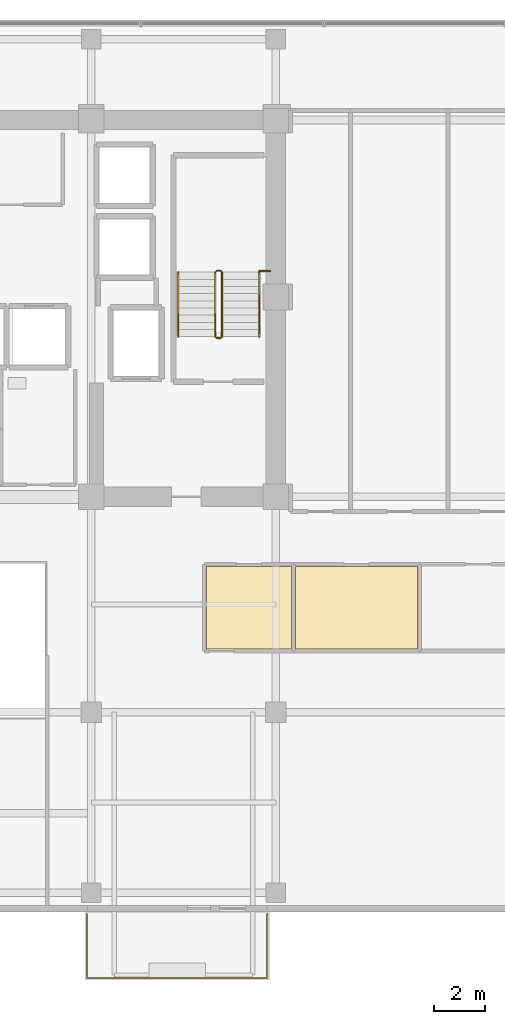
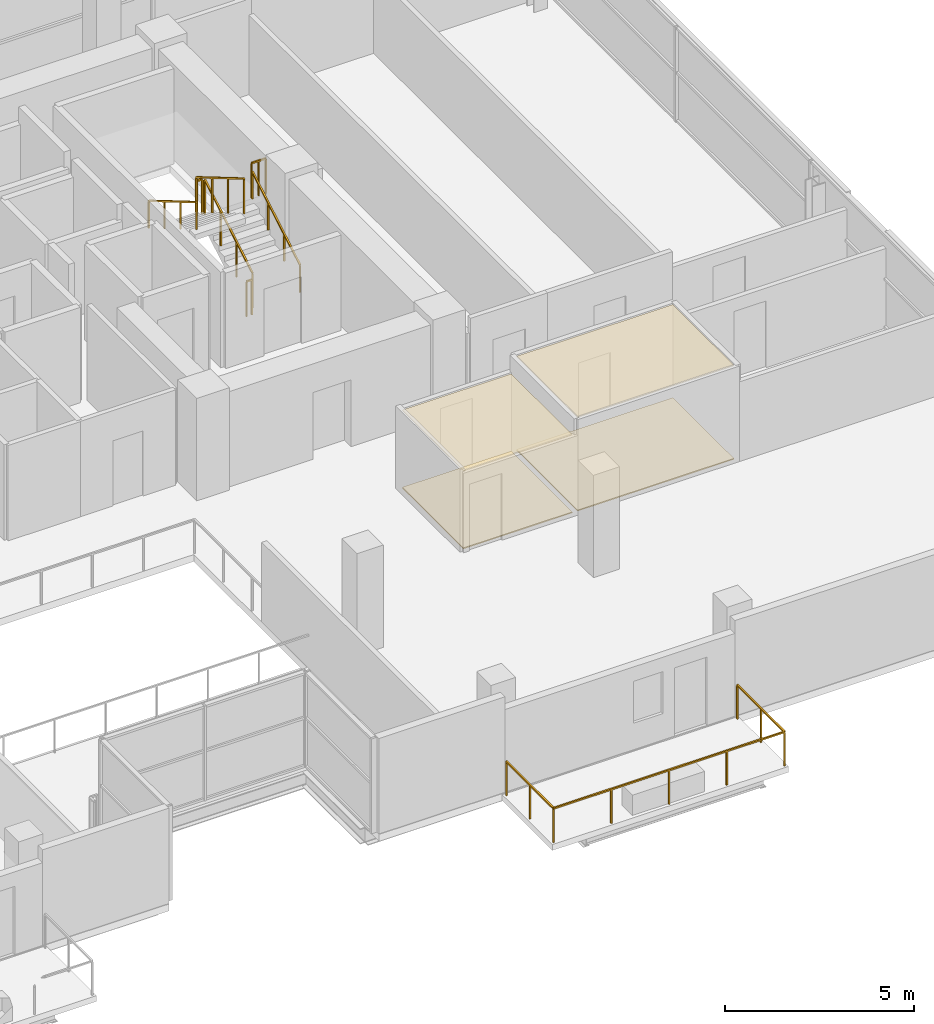
# One storey, part 21 of 22: 8 railings, 4 coverings.
"""IFC4 building model written with IfcOpenShell, lengths in metres."""

import ifcopenshell
import ifcopenshell.guid

model = None  # the IFC model being written
_history = None  # IfcOwnerHistory: only IFC2X3 demands one
_inside = {}  # id of a spatial element -> (the spatial element, [elements in it])
_under = {}  # id of a project, library or spatial element -> (it, [spatial elements below it])
_declared = {}  # id of a project -> (the project, [libraries it declares])
_typed = {}  # id of a type object -> (the type object, [elements of that type])
_made_of = {}  # id of a material, layer set ... -> (it, [elements and type objects made of it])


def new_model(schema):
    """Start an empty IFC model of exactly this schema.

    Asked for "IFC4X3", IfcOpenShell would pick the latest addendum, in which some entities
    have other attributes; the version numbers below select the first issue.
    IFC2X3 requires an IfcOwnerHistory on every rooted entity: one is made here for all.
    """
    global model, _history
    if schema == "IFC4X3":
        model = ifcopenshell.file(schema_version=(4, 3, 0, 0))
    else:
        model = ifcopenshell.file(schema=schema)
    _inside.clear()
    _under.clear()
    _declared.clear()
    _typed.clear()
    _made_of.clear()
    _history = None
    if model.schema == "IFC2X3":
        org = make("IfcOrganization", Name="unknown")
        user = make(
            "IfcPersonAndOrganization",
            ThePerson=make("IfcPerson", FamilyName="unknown"),
            TheOrganization=org,
        )
        app = make(
            "IfcApplication",
            ApplicationDeveloper=org,
            Version="unknown",
            ApplicationFullName="unknown",
            ApplicationIdentifier="unknown",
        )
        _history = make(
            "IfcOwnerHistory",
            OwningUser=user,
            OwningApplication=app,
            ChangeAction="ADDED",
            CreationDate=0,
        )
    return model


def make(cls, **values):
    """One entity of the class cls with the attributes given. An attribute that is None is left unset."""
    return model.create_entity(
        cls, **{name: value for name, value in values.items() if value is not None}
    )


def rooted(cls, **values):
    """An entity with a GlobalId (a new one), such as an element, a storey or a relation."""
    return make(cls, GlobalId=ifcopenshell.guid.new(), OwnerHistory=_history, **values)


def si_unit(unit_type, name, prefix=None):
    """IfcSIUnit, for example si_unit("LENGTHUNIT", "METRE", prefix="MILLI")."""
    return make("IfcSIUnit", UnitType=unit_type, Prefix=prefix, Name=name)


def assignment(units):
    """IfcUnitAssignment: the units of a project."""
    return None if units is None else make("IfcUnitAssignment", Units=units)


def point(xyz):
    """IfcCartesianPoint."""
    return None if xyz is None else make("IfcCartesianPoint", Coordinates=xyz)


def direction(xyz):
    """IfcDirection."""
    return None if xyz is None else make("IfcDirection", DirectionRatios=xyz)


def frame(location, z_axis=None, x_axis=None):
    """IfcAxis2Placement3D, a coordinate frame: its origin and axes. An axis left out is left unset."""
    return make(
        "IfcAxis2Placement3D",
        Location=point(location),
        Axis=direction(z_axis),
        RefDirection=direction(x_axis),
    )


def frame_2d(location, x_axis=None):
    """IfcAxis2Placement2D, a coordinate frame in the plane: its origin and x axis."""
    return make(
        "IfcAxis2Placement2D", Location=point(location), RefDirection=direction(x_axis)
    )


def origin():
    """The frame at (0, 0, 0) with its axes left unset."""
    return frame((0.0, 0.0, 0.0))


def origin_2d():
    """The frame at (0, 0) in the plane with its x axis left unset."""
    return frame_2d((0.0, 0.0))


def place(relative_to, where):
    """IfcLocalPlacement: puts the frame where relative to a parent placement (None: the world)."""
    return make(
        "IfcLocalPlacement", PlacementRelTo=relative_to, RelativePlacement=where
    )


def context(
    kind, dimensions, precision=None, world=None, true_north=None, identifier=None
):
    """IfcGeometricRepresentationContext, for example the 3D "Model" context."""
    return make(
        "IfcGeometricRepresentationContext",
        ContextIdentifier=identifier,
        ContextType=kind,
        CoordinateSpaceDimension=dimensions,
        Precision=precision,
        WorldCoordinateSystem=world,
        TrueNorth=true_north,
    )


def subcontext(parent, identifier, kind, view, scale=None):
    """IfcGeometricRepresentationSubContext, for example "Body" below "Model"."""
    return make(
        "IfcGeometricRepresentationSubContext",
        ContextIdentifier=identifier,
        ContextType=kind,
        ParentContext=parent,
        TargetScale=scale,
        TargetView=view,
    )


def project(units=None, contexts=None):
    """IfcProject with its units and contexts."""
    return rooted(
        "IfcProject",
        Name="project",
        RepresentationContexts=contexts,
        UnitsInContext=assignment(units),
    )


def spatial(cls, under=None, at=None, **own):
    """A site, building, storey or space (cls), placed at a placement, below another one or the project."""
    s = rooted(cls, ObjectPlacement=at, **own)
    if under is not None:
        _under.setdefault(under.id(), (under, []))[1].append(s)
    return s


def polyline(points):
    """IfcPolyline through the points."""
    return make("IfcPolyline", Points=[point(p) for p in points])


def profile(cls, at=None, kind="AREA", **sizes):
    """A parametric profile (cls). Its sizes go by their IFC names, for example OverallWidth=200.0."""
    return make(cls, ProfileType=kind, Position=at, **sizes)


def rectangle(**sizes):
    """IfcRectangleProfileDef."""
    return profile("IfcRectangleProfileDef", **sizes)


def outline(outer, holes=None, kind="AREA"):
    """IfcArbitraryClosedProfileDef: a profile drawn as a closed curve; with holes, ...WithVoids."""
    if holes is None:
        return make("IfcArbitraryClosedProfileDef", ProfileType=kind, OuterCurve=outer)
    return make(
        "IfcArbitraryProfileDefWithVoids",
        ProfileType=kind,
        OuterCurve=outer,
        InnerCurves=holes,
    )


def extrude(swept, where, along, depth):
    """IfcExtrudedAreaSolid: the profile swept, set in the frame where, extruded along a direction by depth."""
    return make(
        "IfcExtrudedAreaSolid",
        SweptArea=swept,
        Position=where,
        ExtrudedDirection=direction(along),
        Depth=depth,
    )


def shape(context_of_items, identifier, shape_type, items):
    """IfcShapeRepresentation: the items that make up one representation, for example the "Body"."""
    return make(
        "IfcShapeRepresentation",
        ContextOfItems=context_of_items,
        RepresentationIdentifier=identifier,
        RepresentationType=shape_type,
        Items=items,
    )


def material(Name=None, Category=None):
    """IfcMaterial."""
    return make("IfcMaterial", Name=Name, Category=Category)


def layer(
    of_material, thickness, ventilated=None, Name=None, Category=None, Priority=None
):
    """IfcMaterialLayer: one layer of a wall or slab, of a material (None: an air gap)."""
    return make(
        "IfcMaterialLayer",
        Material=of_material,
        LayerThickness=thickness,
        IsVentilated=ventilated,
        Name=Name,
        Category=Category,
        Priority=Priority,
    )


def layer_set(layers, Name=None):
    """IfcMaterialLayerSet."""
    return make("IfcMaterialLayerSet", MaterialLayers=layers, LayerSetName=Name)


def made_of(thing, what):
    """Note that an element or type object is made of a material, layer set ...; save() writes the relation."""
    if what is not None:
        _made_of.setdefault(what.id(), (what, []))[1].append(thing)
    return thing


def type_object(cls, material=None, **own):
    """A type object (cls), such as IfcWallType, which elements share."""
    return made_of(rooted(cls, **own), material)


def element(
    cls,
    number,
    at=None,
    inside=None,
    cuts=None,
    type_object=None,
    material=None,
    context=None,
    identifier="Body",
    shape_type=None,
    held_by="IfcProductDefinitionShape",
    body=None,
    shapes=None,
    **own,
):
    """One element of the class cls, such as IfcWall. Its Tag is "e" and its number.

    at: its placement. inside: the storey or other place that contains it. cuts: it is an
    opening in that element (IfcRelVoidsElement). A single representation is given by context,
    identifier, shape_type and body (its items); several are given by shapes. held_by: the class
    of the entity that holds the representations. save() writes the other relations.
    """
    e = rooted(cls, Tag="e%d" % number, ObjectPlacement=at, **own)
    if body is not None:
        shapes = [shape(context, identifier, shape_type, body)]
    if shapes is not None:
        e.Representation = make(held_by, Representations=shapes)
    if inside is not None:
        _inside.setdefault(inside.id(), (inside, []))[1].append(e)
    if cuts is not None:
        rooted(
            "IfcRelVoidsElement", RelatingBuildingElement=cuts, RelatedOpeningElement=e
        )
    if type_object is not None:
        _typed.setdefault(type_object.id(), (type_object, []))[1].append(e)
    return made_of(e, material)


def aggregate(whole, parts):
    """IfcRelAggregates: a whole, such as a stair, and the parts it consists of."""
    return rooted("IfcRelAggregates", RelatingObject=whole, RelatedObjects=parts)


def save(model, path):
    """Write the relations noted so far, then the file.

    IfcRelAggregates (storeys below a building ...), IfcRelContainedInSpatialStructure (elements
    in a storey), IfcRelDefinesByType, IfcRelAssociatesMaterial and IfcRelDeclares: one each for
    every whole, place, type object, material and project.
    """
    for whole, parts in _under.values():
        aggregate(whole, parts)
    for where, things in _inside.values():
        rooted(
            "IfcRelContainedInSpatialStructure",
            RelatedElements=things,
            RelatingStructure=where,
        )
    for kind, things in _typed.values():
        rooted("IfcRelDefinesByType", RelatedObjects=things, RelatingType=kind)
    for what, things in _made_of.values():
        rooted("IfcRelAssociatesMaterial", RelatedObjects=things, RelatingMaterial=what)
    for by, libraries in _declared.values():
        rooted("IfcRelDeclares", RelatingContext=by, RelatedDefinitions=libraries)
    model.write(path)


model = new_model("IFC4")

# Units and contexts
model_context = context("Model", 3, precision=1e-05, world=origin(), true_north=direction((0.0, 1.0)))
body_context = subcontext(model_context, "Body", "Model", "MODEL_VIEW")
ifc_project = project(units=[si_unit("LENGTHUNIT", "METRE"), si_unit("AREAUNIT", "SQUARE_METRE"), si_unit("VOLUMEUNIT", "CUBIC_METRE"), si_unit("PLANEANGLEUNIT", "RADIAN"), si_unit("MASSUNIT", "GRAM", prefix="KILO")], contexts=[model_context])

# Site, building, storey
site_placement = place(None, origin())
site = spatial("IfcSite", under=ifc_project, at=site_placement, CompositionType="ELEMENT")
building_placement = place(site_placement, origin())
building = spatial("IfcBuilding", under=site, at=building_placement, Name="Zarnakvel Exchange Tower", CompositionType="ELEMENT")
storey_placement = place(building_placement, frame((0.0, 0.0, 192.39990234375)))
storey = spatial("IfcBuildingStorey", under=building, at=storey_placement, Name="L54", CompositionType="ELEMENT", Elevation=192.39990234375)

# Coverings
ifc_material_1 = material(Name="Perforated Bronze Acoustic Metal Ceiling", Category="aluminium")
ifc_layer_1 = layer(ifc_material_1, 0.02001953125)
ifc_layer_set_1 = layer_set([ifc_layer_1], Name="Perforated Bronze Acoustic Metal Ceiling")
covering_type_1 = type_object("IfcCoveringType", Name="CLG-01", PredefinedType="CEILING", material=ifc_layer_set_1)
covering_1_placement = place(storey_placement, frame((0.0, 0.0, 2.505126953125)))
element("IfcCovering", 1, at=covering_1_placement, inside=storey, type_object=covering_type_1, Name="L54 Suspended Acoustic Ceiling (Conference Room)", PredefinedType="CEILING", context=body_context, shape_type="SweptSolid", body=[
    extrude(outline(polyline([(11.69140625, -3.909912109375), (15.01220703125, -3.909912109375), (15.01220703125, -7.139892578125), (11.69140625, -7.139892578125), (11.69140625, -3.909912109375)])), origin(), (0.0, 0.0, 1.0), 0.02001953125),
])
covering_2_placement = place(storey_placement, frame((0.0, 0.0, 3.01513671875)))
element("IfcCovering", 2, at=covering_2_placement, inside=storey, type_object=covering_type_1, Name="L54 Suspended Acoustic Ceiling (Executive Pantry)", PredefinedType="CEILING", context=body_context, shape_type="SweptSolid", body=[
    extrude(outline(polyline([(15.17236328125, -3.909912109375), (19.93701171875, -3.909912109375), (19.93701171875, -7.139892578125), (15.17236328125, -7.139892578125), (15.17236328125, -3.909912109375)])), origin(), (0.0, 0.0, 1.0), 0.02001953125),
])
ifc_material_2 = material(Name="Heavy-Duty Raised Access Floor Panel", Category="steel")
ifc_layer_2 = layer(ifc_material_2, 0.034912109375)
ifc_layer_set_2 = layer_set([ifc_layer_2], Name="Heavy-Duty Raised Access Floor Panel")
covering_type_2 = type_object("IfcCoveringType", Name="FLR-02", PredefinedType="FLOORING", material=ifc_layer_set_2)
covering_3_placement = place(storey_placement, origin())
element("IfcCovering", 3, at=covering_3_placement, inside=storey, type_object=covering_type_2, Name="L54 Floor Finish (Conference Room)", PredefinedType="FLOORING", context=body_context, shape_type="SweptSolid", body=[
    extrude(outline(polyline([(11.69140625, -3.909912109375), (15.01220703125, -3.909912109375), (15.01220703125, -7.139892578125), (11.69140625, -7.139892578125), (11.69140625, -3.909912109375)])), origin(), (0.0, 0.0, 1.0), 0.03515625),
])
covering_4_placement = place(storey_placement, origin())
element("IfcCovering", 4, at=covering_4_placement, inside=storey, type_object=covering_type_2, Name="L54 Floor Finish (Executive Pantry)", PredefinedType="FLOORING", context=body_context, shape_type="SweptSolid", body=[
    extrude(outline(polyline([(15.17236328125, -3.909912109375), (19.93701171875, -3.909912109375), (19.93701171875, -7.139892578125), (15.17236328125, -7.139892578125), (15.17236328125, -3.909912109375)])), origin(), (0.0, 0.0, 1.0), 0.03515625),
])

# Railings
ifc_material_3 = material(Name="Architectural Bronze Anodised Aluminium", Category="aluminium")
railing_type_1 = type_object("IfcRailingType", Name="GR-02", PredefinedType="GUARDRAIL", material=ifc_material_3)
railing_1_placement = place(storey_placement, frame((7.030029296875, -17.47998046875, -0.034912109375)))
element("IfcRailing", 5, at=railing_1_placement, inside=storey, type_object=railing_type_1, Name="L54 Balcony Guardrail BAL-L54-SE", PredefinedType="GUARDRAIL", context=body_context, shape_type="SweptSolid", body=[
    extrude(rectangle(XDim=0.048095703125, YDim=0.048095703125, at=origin_2d()), frame((0.0, 0.0, 1.09619140625), z_axis=(0.0, -1.0, 0.0), x_axis=(1.0, 0.0, 0.0)), (0.0, 0.0, 1.0), 2.489990234375),
    extrude(rectangle(XDim=0.048095703125, YDim=0.048095703125, at=origin_2d()), frame((0.0, -2.489990234375, 1.09619140625), z_axis=(1.0, 0.0, 0.0), x_axis=(0.0, 1.0, 0.0)), (0.0, 0.0, 1.0), 7.0400390625),
    extrude(rectangle(XDim=0.048095703125, YDim=0.048095703125, at=origin_2d()), frame((7.0400390625, -2.489990234375, 1.09619140625), z_axis=(0.0, 1.0, 0.0), x_axis=(-1.0, 0.0, 0.0)), (0.0, 0.0, 1.0), 2.489990234375),
    extrude(rectangle(XDim=0.0419921875, YDim=0.0419921875, at=origin_2d()), origin(), (0.0, 0.0, 1.0), 1.072021484375),
    extrude(rectangle(XDim=0.0419921875, YDim=0.0419921875, at=origin_2d()), frame((0.0, -1.2451171875, 0.0)), (0.0, 0.0, 1.0), 1.072021484375),
    extrude(rectangle(XDim=0.0419921875, YDim=0.0419921875, at=origin_2d()), frame((0.0, -2.489990234375, 0.0)), (0.0, 0.0, 1.0), 1.072021484375),
    extrude(rectangle(XDim=0.0419921875, YDim=0.0419921875, at=origin_2d()), frame((1.760009765625, -2.489990234375, 0.0)), (0.0, 0.0, 1.0), 1.072021484375),
    extrude(rectangle(XDim=0.0419921875, YDim=0.0419921875, at=origin_2d()), frame((3.52001953125, -2.489990234375, 0.0)), (0.0, 0.0, 1.0), 1.072021484375),
    extrude(rectangle(XDim=0.0419921875, YDim=0.0419921875, at=origin_2d()), frame((5.280029296875, -2.489990234375, 0.0)), (0.0, 0.0, 1.0), 1.072021484375),
    extrude(rectangle(XDim=0.0419921875, YDim=0.0419921875, at=origin_2d()), frame((7.0400390625, -2.489990234375, 0.0)), (0.0, 0.0, 1.0), 1.072021484375),
    extrude(rectangle(XDim=0.0419921875, YDim=0.0419921875, at=origin_2d()), frame((7.0400390625, -1.2451171875, 0.0)), (0.0, 0.0, 1.0), 1.072021484375),
    extrude(rectangle(XDim=0.0419921875, YDim=0.0419921875, at=origin_2d()), frame((7.0400390625, 0.0, 0.0)), (0.0, 0.0, 1.0), 1.072021484375),
])
ifc_material_4 = material(Name="Brushed Stainless Steel", Category="steel")
railing_type_2 = type_object("IfcRailingType", Name="HR-01", PredefinedType="HANDRAIL", material=ifc_material_4)
railing_2_placement = place(storey_placement, frame((13.75, 5.050048828125, 0.1650390625)))
element("IfcRailing", 6, at=railing_2_placement, inside=storey, type_object=railing_type_2, Name="L54 ST-02 stair handrail 1", PredefinedType="HANDRAIL", context=body_context, shape_type="SweptSolid", body=[
    extrude(rectangle(XDim=0.048095703125, YDim=0.048095703125, at=origin_2d()), frame((0.0, 0.0, 0.8759765625), z_axis=(0.0, 0.86152411907, 0.507716645641), x_axis=(-1.0, 0.0, 0.0)), (0.0, 0.0, 1.0), 2.925048828125),
    extrude(rectangle(XDim=0.0419921875, YDim=0.0419921875, at=origin_2d()), origin(), (0.0, 0.0, 1.0), 0.851806640625),
    extrude(rectangle(XDim=0.0419921875, YDim=0.0419921875, at=origin_2d()), frame((0.0, 0.840087890625, 0.4951171875)), (0.0, 0.0, 1.0), 0.851806640625),
    extrude(rectangle(XDim=0.0419921875, YDim=0.0419921875, at=origin_2d()), frame((0.0, 1.679931640625, 0.989990234375)), (0.0, 0.0, 1.0), 0.851806640625),
    extrude(rectangle(XDim=0.0419921875, YDim=0.0419921875, at=origin_2d()), frame((0.0, 2.52001953125, 1.485107421875)), (0.0, 0.0, 1.0), 0.851806640625),
])
railing_3_placement = place(storey_placement, frame((10.590087890625, 7.570068359375, 1.815185546875)))
element("IfcRailing", 7, at=railing_3_placement, inside=storey, type_object=railing_type_2, Name="L54 ST-02 stair handrail 2", PredefinedType="HANDRAIL", context=body_context, shape_type="SweptSolid", body=[
    extrude(rectangle(XDim=0.048095703125, YDim=0.048095703125, at=origin_2d()), frame((0.0, 0.0, 0.8759765625), z_axis=(0.0, -0.861560626758, 0.507654692109), x_axis=(1.0, 0.0, 0.0)), (0.0, 0.0, 1.0), 2.925048828125),
    extrude(rectangle(XDim=0.0419921875, YDim=0.0419921875, at=origin_2d()), origin(), (0.0, 0.0, 1.0), 0.851806640625),
    extrude(rectangle(XDim=0.0419921875, YDim=0.0419921875, at=origin_2d()), frame((0.0, -0.840087890625, 0.494873046875)), (0.0, 0.0, 1.0), 0.851806640625),
    extrude(rectangle(XDim=0.0419921875, YDim=0.0419921875, at=origin_2d()), frame((0.0, -1.679931640625, 0.989990234375)), (0.0, 0.0, 1.0), 0.851806640625),
    extrude(rectangle(XDim=0.0419921875, YDim=0.0419921875, at=origin_2d()), frame((0.0, -2.52001953125, 1.48486328125)), (0.0, 0.0, 1.0), 0.851806640625),
])
railing_type_3 = type_object("IfcRailingType", Name="SG-01", PredefinedType="GUARDRAIL", material=ifc_material_3)
railing_4_placement = place(storey_placement, frame((12.300048828125, 5.050048828125, 0.1650390625)))
element("IfcRailing", 8, at=railing_4_placement, inside=storey, type_object=railing_type_3, Name="L54 ST-02 stair guard 1", PredefinedType="GUARDRAIL", context=body_context, shape_type="SweptSolid", body=[
    extrude(rectangle(XDim=0.048095703125, YDim=0.048095703125, at=origin_2d()), frame((0.0, 0.0, 1.1259765625), z_axis=(0.0, 0.86152411907, 0.507716645641), x_axis=(-1.0, 0.0, 0.0)), (0.0, 0.0, 1.0), 2.925048828125),
    extrude(rectangle(XDim=0.0419921875, YDim=0.0419921875, at=origin_2d()), origin(), (0.0, 0.0, 1.0), 1.101806640625),
    extrude(rectangle(XDim=0.0419921875, YDim=0.0419921875, at=origin_2d()), frame((0.0, 0.840087890625, 0.4951171875)), (0.0, 0.0, 1.0), 1.101806640625),
    extrude(rectangle(XDim=0.0419921875, YDim=0.0419921875, at=origin_2d()), frame((0.0, 1.679931640625, 0.989990234375)), (0.0, 0.0, 1.0), 1.101806640625),
    extrude(rectangle(XDim=0.0419921875, YDim=0.0419921875, at=origin_2d()), frame((0.0, 2.52001953125, 1.485107421875)), (0.0, 0.0, 1.0), 1.101806640625),
])
railing_5_placement = place(storey_placement, frame((12.25, 7.6201171875, 1.650146484375)))
element("IfcRailing", 9, at=railing_5_placement, inside=storey, type_object=railing_type_3, Name="L54 ST-02 stair guard 2", PredefinedType="GUARDRAIL", context=body_context, shape_type="SweptSolid", body=[
    extrude(rectangle(XDim=0.048095703125, YDim=0.048095703125, at=origin_2d()), frame((0.0, 0.0, 1.1259765625), z_axis=(-1.0, 0.0, 0.0), x_axis=(0.0, -1.0, 0.0)), (0.0, 0.0, 1.0), 0.159912109375),
    extrude(rectangle(XDim=0.0419921875, YDim=0.0419921875, at=origin_2d()), origin(), (0.0, 0.0, 1.0), 1.101806640625),
    extrude(rectangle(XDim=0.0419921875, YDim=0.0419921875, at=origin_2d()), frame((-0.159912109375, 0.0, 0.0)), (0.0, 0.0, 1.0), 1.101806640625),
])
railing_6_placement = place(storey_placement, frame((12.0400390625, 7.570068359375, 1.815185546875)))
element("IfcRailing", 10, at=railing_6_placement, inside=storey, type_object=railing_type_3, Name="L54 ST-02 stair guard 3", PredefinedType="GUARDRAIL", context=body_context, shape_type="SweptSolid", body=[
    extrude(rectangle(XDim=0.048095703125, YDim=0.048095703125, at=origin_2d()), frame((0.0, 0.0, 1.1259765625), z_axis=(0.0, -0.861560626758, 0.507654692109), x_axis=(1.0, 0.0, 0.0)), (0.0, 0.0, 1.0), 2.925048828125),
    extrude(rectangle(XDim=0.0419921875, YDim=0.0419921875, at=origin_2d()), origin(), (0.0, 0.0, 1.0), 1.101806640625),
    extrude(rectangle(XDim=0.0419921875, YDim=0.0419921875, at=origin_2d()), frame((0.0, -0.840087890625, 0.494873046875)), (0.0, 0.0, 1.0), 1.101806640625),
    extrude(rectangle(XDim=0.0419921875, YDim=0.0419921875, at=origin_2d()), frame((0.0, -1.679931640625, 0.989990234375)), (0.0, 0.0, 1.0), 1.101806640625),
    extrude(rectangle(XDim=0.0419921875, YDim=0.0419921875, at=origin_2d()), frame((0.0, -2.52001953125, 1.48486328125)), (0.0, 0.0, 1.0), 1.101806640625),
])
railing_7_placement = place(storey_placement, frame((12.25, 5.0, 0.0)))
element("IfcRailing", 11, at=railing_7_placement, inside=storey, type_object=railing_type_3, Name="L54 ST-02 stair guard 4", PredefinedType="GUARDRAIL", context=body_context, shape_type="SweptSolid", body=[
    extrude(rectangle(XDim=0.048095703125, YDim=0.048095703125, at=origin_2d()), frame((0.0, 0.0, 1.1259765625), z_axis=(-1.0, 0.0, 0.0), x_axis=(0.0, -1.0, 0.0)), (0.0, 0.0, 1.0), 0.159912109375),
    extrude(rectangle(XDim=0.0419921875, YDim=0.0419921875, at=origin_2d()), origin(), (0.0, 0.0, 1.0), 1.101806640625),
    extrude(rectangle(XDim=0.0419921875, YDim=0.0419921875, at=origin_2d()), frame((-0.159912109375, 0.0, 0.0)), (0.0, 0.0, 1.0), 1.101806640625),
])
railing_8_placement = place(storey_placement, frame((13.75, 7.610107421875, 1.650146484375)))
element("IfcRailing", 12, at=railing_8_placement, inside=storey, type_object=railing_type_3, Name="L54 ST-02 Landing Slot Guardrail", PredefinedType="GUARDRAIL", context=body_context, shape_type="SweptSolid", body=[
    extrude(rectangle(XDim=0.048095703125, YDim=0.048095703125, at=origin_2d()), frame((0.0, 0.0, 1.1259765625), z_axis=(1.0, 0.0, 0.0), x_axis=(0.0, 1.0, 0.0)), (0.0, 0.0, 1.0), 0.429931640625),
    extrude(rectangle(XDim=0.0419921875, YDim=0.0419921875, at=origin_2d()), origin(), (0.0, 0.0, 1.0), 1.101806640625),
    extrude(rectangle(XDim=0.0419921875, YDim=0.0419921875, at=origin_2d()), frame((0.21484375, 0.0, 0.0)), (0.0, 0.0, 1.0), 1.101806640625),
    extrude(rectangle(XDim=0.0419921875, YDim=0.0419921875, at=origin_2d()), frame((0.429931640625, 0.0, 0.0)), (0.0, 0.0, 1.0), 1.101806640625),
])

save(model, "model.ifc")
